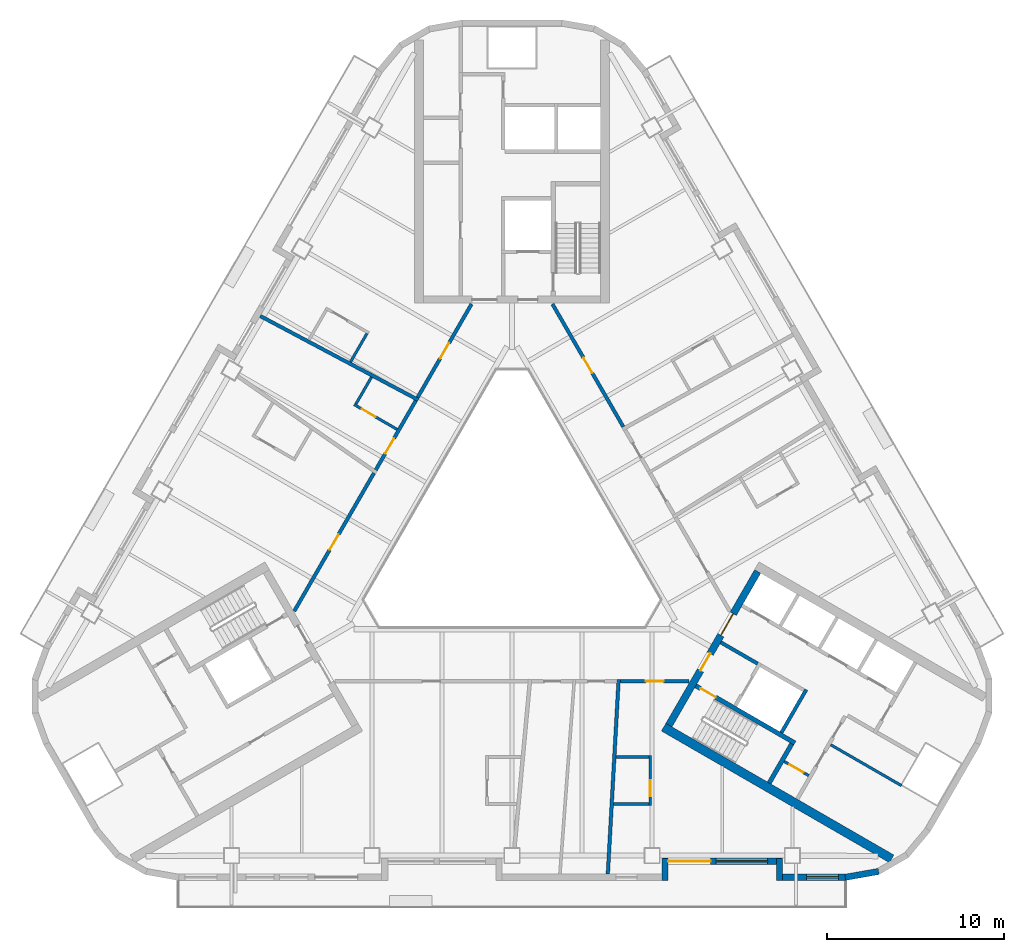
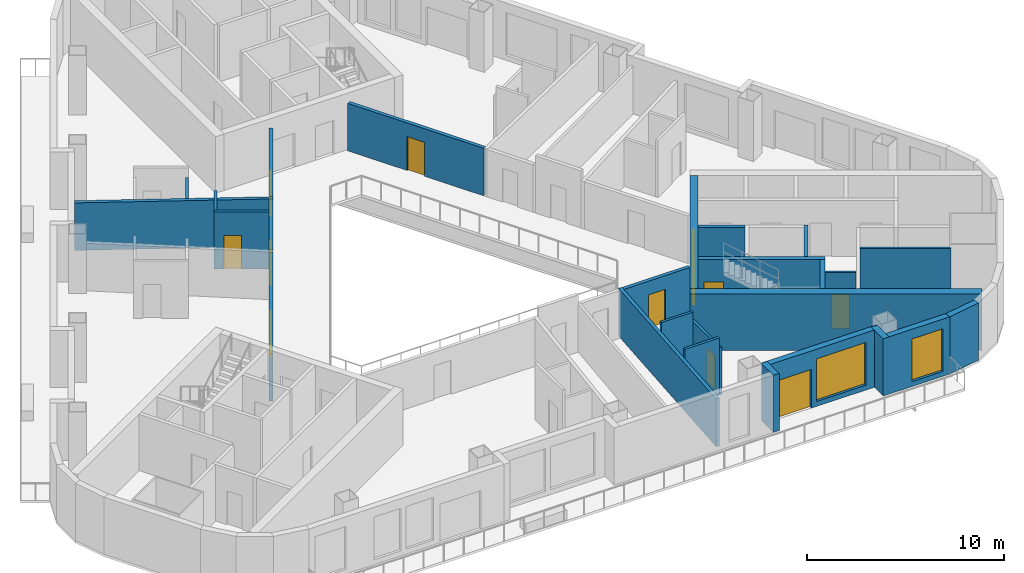
# One storey, part 4 of 13: 26 walls, 12 doors, 2 windows, 14 openings.
"""IFC4 building model written with IfcOpenShell, lengths in metres."""

from ifc_helpers import new_model, si_unit, direction, frame, frame_2d, origin, place, context, subcontext, project, spatial, rectangle, extrude, material, layer, layer_set, type_object, element, fill, save


model = new_model("IFC4")

# Units and contexts
model_context = context("Model", 3, precision=1e-05, world=origin(), true_north=direction((0.0, 1.0)))
body_context = subcontext(model_context, "Body", "Model", "MODEL_VIEW")
ifc_project = project(units=[si_unit("LENGTHUNIT", "METRE"), si_unit("AREAUNIT", "SQUARE_METRE"), si_unit("VOLUMEUNIT", "CUBIC_METRE"), si_unit("PLANEANGLEUNIT", "RADIAN"), si_unit("MASSUNIT", "GRAM", prefix="KILO")], contexts=[model_context])

# Site, building, storey
site_placement = place(None, origin())
site = spatial("IfcSite", under=ifc_project, at=site_placement, CompositionType="ELEMENT")
building_placement = place(site_placement, origin())
building = spatial("IfcBuilding", under=site, at=building_placement, Name="Apuvela Tower Hotel", CompositionType="ELEMENT")
storey_placement = place(building_placement, frame((0.0, 0.0, 124.199951171875)))
storey = spatial("IfcBuildingStorey", under=building, at=storey_placement, Name="L29", CompositionType="ELEMENT", Elevation=124.199951171875)

# Wall, openings, doors
ifc_material_1 = material(Name="Concrete C50/60", Category="concrete")
ifc_layer_1 = layer(ifc_material_1, 0.39990234375)
ifc_layer_set_1 = layer_set([ifc_layer_1], Name="COR-WALL-CORE-400")
wall_type_1 = type_object("IfcWallType", Name="COR-WALL-CORE-400", PredefinedType="SHEAR", material=ifc_layer_set_1)
wall_1_placement = place(storey_placement, frame((8.844970703125, -10.880126953125, 0.0), z_axis=(0.0, 0.0, 1.0), x_axis=(0.500004234368, 0.866022959057, 0.0)))
wall_1 = element("IfcWall", 1, at=wall_1_placement, inside=storey, type_object=wall_type_1, Name="Core wall SE", PredefinedType="SHEAR", context=body_context, shape_type="SweptSolid", body=[
    extrude(rectangle(XDim=10.0, YDim=0.39990234375, at=frame_2d((5.0, 0.0))), origin(), (0.0, 0.0, 1.0), 3.5),
])
opening_1_placement = place(wall_1_placement, frame((3.550048828125, 0.0, 0.0)))
opening_1 = element("IfcOpeningElement", 2, at=opening_1_placement, cuts=wall_1, Name="Opening E-FD", PredefinedType="OPENING", context=body_context, shape_type="SweptSolid", body=[
    extrude(rectangle(XDim=1.10009765625, YDim=2.10009765625, at=frame_2d((0.550048828125, 1.050048828125))), frame((0.0, 0.2099609375, 0.0), z_axis=(0.0, -1.0, 0.0), x_axis=(1.0, 0.0, 0.0)), (0.0, 0.0, 1.0), 0.419921875),
])
opening_2_placement = place(wall_1_placement, frame((5.85009765625, 0.0, 0.0)))
opening_2 = element("IfcOpeningElement", 3, at=opening_2_placement, cuts=wall_1, Name="Opening E-GD", PredefinedType="OPENING", context=body_context, shape_type="SweptSolid", body=[
    extrude(rectangle(XDim=1.39990234375, YDim=2.10009765625, at=frame_2d((0.699951171875, 1.050048828125))), frame((0.0, 0.2099609375, 0.0), z_axis=(0.0, -1.0, 0.0), x_axis=(1.0, 0.0, 0.0)), (0.0, 0.0, 1.0), 0.419921875),
])
ifc_material_2 = material(Name="Steel fire door, powder coated", Category="steel")
door_type_1 = type_object("IfcDoorType", Name="COR-FD-1100", OperationType="NOTDEFINED", PredefinedType="DOOR", material=ifc_material_2)
door_1_placement = place(opening_1_placement, frame((1.10009765625, 0.0, 0.0), z_axis=(0.0, 0.0, 1.0), x_axis=(-1.0, 0.0, 0.0)))
door_1 = element("IfcDoor", 4, at=door_1_placement, inside=storey, type_object=door_type_1, Name="Firefighting lobby door E-FD", OperationType="SINGLE_SWING_LEFT", OverallHeight=2.10009765625, OverallWidth=1.10009765625, PredefinedType="DOOR", context=body_context, shape_type="SweptSolid", body=[
    extrude(rectangle(XDim=1.10009765625, YDim=2.10009765625, at=frame_2d((0.550048828125, 1.050048828125))), frame((0.0, 0.02490234375, 0.0), z_axis=(0.0, -1.0, 0.0), x_axis=(1.0, 0.0, 0.0)), (0.0, 0.0, 1.0), 0.050048828125),
])
fill(opening_1, door_1)
ifc_material_3 = material(Name="Glazed steel fire door", Category="steel")
door_type_2 = type_object("IfcDoorType", Name="COR-GD-1400", OperationType="DOUBLE_DOOR_SINGLE_SWING", PredefinedType="DOOR", material=ifc_material_3)
door_2_placement = place(opening_2_placement, frame((1.39990234375, 0.0, 0.0), z_axis=(0.0, 0.0, 1.0), x_axis=(-1.0, 0.0, 0.0)))
door_2 = element("IfcDoor", 5, at=door_2_placement, inside=storey, type_object=door_type_2, Name="Lift lobby door E-GD", OperationType="DOUBLE_DOOR_SINGLE_SWING", OverallHeight=2.10009765625, OverallWidth=1.39990234375, PredefinedType="DOOR", context=body_context, shape_type="SweptSolid", body=[
    extrude(rectangle(XDim=1.39990234375, YDim=2.10009765625, at=frame_2d((0.699951171875, 1.050048828125))), frame((0.0, 0.02490234375, 0.0), z_axis=(0.0, -1.0, 0.0), x_axis=(1.0, 0.0, 0.0)), (0.0, 0.0, 1.0), 0.050048828125),
])
fill(opening_2, door_2)

# Wall
ifc_layer_2 = layer(ifc_material_1, 0.5)
ifc_layer_set_2 = layer_set([ifc_layer_2], Name="COR-WALL-CORE-500")
wall_type_2 = type_object("IfcWallType", Name="COR-WALL-CORE-500", PredefinedType="SHEAR", material=ifc_layer_set_2)
wall_2_placement = place(storey_placement, frame((8.546630859375, -10.99658203125, 0.0), z_axis=(0.0, 0.0, 1.0), x_axis=(0.866025009528, -0.500000682871, 0.0)))
element("IfcWall", 6, at=wall_2_placement, inside=storey, type_object=wall_type_2, Name="Core wall SE", PredefinedType="SHEAR", context=body_context, shape_type="SweptSolid", body=[
    extrude(rectangle(XDim=14.8369140625, YDim=0.5, at=frame_2d((7.41845703125, 0.0))), origin(), (0.0, 0.0, 1.0), 3.5),
])

# Wall, opening, door
ifc_material_4 = material(Name="Blockwork 150 mm plastered", Category="masonry")
ifc_layer_3 = layer(ifc_material_4, 0.14990234375)
ifc_layer_set_3 = layer_set([ifc_layer_3], Name="COR-WALL-PART-150")
wall_type_3 = type_object("IfcWallType", Name="COR-WALL-PART-150", PredefinedType="PARTITIONING", material=ifc_layer_set_3)
wall_3_placement = place(storey_placement, frame((15.341552734375, -12.927734375, 0.0), z_axis=(0.0, 0.0, 1.0), x_axis=(0.865989903783, -0.500061482766, 0.0)))
wall_3 = element("IfcWall", 7, at=wall_3_placement, inside=storey, type_object=wall_type_3, Name="Partition SE", PredefinedType="PARTITIONING", context=body_context, shape_type="SweptSolid", body=[
    extrude(rectangle(XDim=1.599853515625, YDim=0.14990234375, at=frame_2d((0.7998046875, 0.0))), origin(), (0.0, 0.0, 1.0), 3.5),
])
opening_3_placement = place(wall_3_placement, frame((0.35009765625, 0.0, 0.0)))
opening_3 = element("IfcOpeningElement", 8, at=opening_3_placement, cuts=wall_3, Name="Opening E-RD", PredefinedType="OPENING", context=body_context, shape_type="SweptSolid", body=[
    extrude(rectangle(XDim=0.89990234375, YDim=2.10009765625, at=frame_2d((0.449951171875, 1.050048828125))), frame((0.0, 0.0849609375, 0.0), z_axis=(0.0, -1.0, 0.0), x_axis=(1.0, 0.0, 0.0)), (0.0, 0.0, 1.0), 0.169921875),
])
ifc_material_5 = material(Name="Steel access door, powder coated", Category="steel")
door_type_3 = type_object("IfcDoorType", Name="COR-RD-900", OperationType="NOTDEFINED", PredefinedType="DOOR", material=ifc_material_5)
door_3_placement = place(opening_3_placement, frame((0.89990234375, 0.0, 0.0), z_axis=(0.0, 0.0, 1.0), x_axis=(-1.0, 0.0, 0.0)))
door_3 = element("IfcDoor", 9, at=door_3_placement, inside=storey, type_object=door_type_3, Name="Riser door E-RD", OperationType="SINGLE_SWING_LEFT", OverallHeight=2.10009765625, OverallWidth=0.89990234375, PredefinedType="DOOR", context=body_context, shape_type="SweptSolid", body=[
    extrude(rectangle(XDim=0.89990234375, YDim=2.10009765625, at=frame_2d((0.449951171875, 1.050048828125))), frame((0.0, 0.02490234375, 0.0), z_axis=(0.0, -1.0, 0.0), x_axis=(1.0, 0.0, 0.0)), (0.0, 0.0, 1.0), 0.050048828125),
])
fill(opening_3, door_3)

# Walls
wall_4_placement = place(storey_placement, frame((17.962890625, -11.9873046875, 0.0), z_axis=(0.0, 0.0, 1.0), x_axis=(0.865998608524, -0.500046407882, 0.0)))
element("IfcWall", 10, at=wall_4_placement, inside=storey, type_object=wall_type_3, Name="Partition SE", PredefinedType="PARTITIONING", context=body_context, shape_type="SweptSolid", body=[
    extrude(rectangle(XDim=4.60986328125, YDim=0.14990234375, at=frame_2d((2.304931640625, 0.0))), origin(), (0.0, 0.0, 1.0), 3.5),
])
ifc_layer_4 = layer(ifc_material_1, 0.199951171875)
ifc_layer_set_4 = layer_set([ifc_layer_4], Name="COR-WALL-SHAFT-200")
wall_type_4 = type_object("IfcWallType", Name="COR-WALL-SHAFT-200", PredefinedType="SHEAR", material=ifc_layer_set_4)
wall_5_placement = place(storey_placement, frame((15.181396484375, -11.305419921875, 0.0), z_axis=(0.0, 0.0, 1.0), x_axis=(0.49994636267, 0.866056369097, 0.0)))
element("IfcWall", 11, at=wall_5_placement, inside=storey, type_object=wall_type_4, Name="Shaft wall SE", PredefinedType="SHEAR", context=body_context, shape_type="SweptSolid", body=[
    extrude(rectangle(XDim=2.800048828125, YDim=0.199951171875, at=frame_2d((1.39990234375, 0.0))), origin(), (0.0, 0.0, 1.0), 3.5),
])
wall_6_placement = place(storey_placement, frame((11.76806640625, -6.217041015625, 0.0), z_axis=(0.0, 0.0, 1.0), x_axis=(0.866050077142, -0.499957262057, 0.0)))
element("IfcWall", 12, at=wall_6_placement, inside=storey, type_object=wall_type_4, Name="Shaft wall SE", PredefinedType="SHEAR", context=body_context, shape_type="SweptSolid", body=[
    extrude(rectangle(XDim=2.400146484375, YDim=0.199951171875, at=frame_2d((1.2001953125, 0.0))), origin(), (0.0, 0.0, 1.0), 3.5),
])

# Wall, opening, door
ifc_layer_5 = layer(ifc_material_1, 0.25)
ifc_layer_set_5 = layer_set([ifc_layer_5], Name="COR-WALL-STAIR-250")
wall_type_5 = type_object("IfcWallType", Name="COR-WALL-STAIR-250", PredefinedType="SHEAR", material=ifc_layer_set_5)
wall_7_placement = place(storey_placement, frame((10.355712890625, -8.66357421875, 0.0), z_axis=(0.0, 0.0, 1.0), x_axis=(0.866028629588, -0.499994412703, 0.0)))
wall_7 = element("IfcWall", 13, at=wall_7_placement, inside=storey, type_object=wall_type_5, Name="Stair wall SE", PredefinedType="SHEAR", context=body_context, shape_type="SweptSolid", body=[
    extrude(rectangle(XDim=6.44970703125, YDim=0.25, at=frame_2d((3.224853515625, 0.0))), origin(), (0.0, 0.0, 1.0), 3.5),
])
opening_4_placement = place(wall_7_placement, frame((0.300048828125, 0.0, 0.0)))
opening_4 = element("IfcOpeningElement", 14, at=opening_4_placement, cuts=wall_7, Name="Opening E-SD", PredefinedType="OPENING", context=body_context, shape_type="SweptSolid", body=[
    extrude(rectangle(XDim=1.0, YDim=2.10009765625, at=frame_2d((0.5, 1.050048828125))), frame((0.0, 0.135009765625, 0.0), z_axis=(0.0, -1.0, 0.0), x_axis=(1.0, 0.0, 0.0)), (0.0, 0.0, 1.0), 0.27001953125),
])
door_type_4 = type_object("IfcDoorType", Name="COR-SD-1000", OperationType="NOTDEFINED", PredefinedType="DOOR", material=ifc_material_2)
door_4_placement = place(opening_4_placement, frame((1.0, 0.0, 0.0), z_axis=(0.0, 0.0, 1.0), x_axis=(-1.0, 0.0, 0.0)))
door_4 = element("IfcDoor", 15, at=door_4_placement, inside=storey, type_object=door_type_4, Name="Stair door E-SD", OperationType="SINGLE_SWING_LEFT", OverallHeight=2.10009765625, OverallWidth=1.0, PredefinedType="DOOR", context=body_context, shape_type="SweptSolid", body=[
    extrude(rectangle(XDim=1.0, YDim=2.10009765625, at=frame_2d((0.5, 1.050048828125))), frame((0.0, 0.02490234375, 0.0), z_axis=(0.0, -1.0, 0.0), x_axis=(1.0, 0.0, 0.0)), (0.0, 0.0, 1.0), 0.050048828125),
])
fill(opening_4, door_4)

# Walls
wall_8_placement = place(storey_placement, frame((14.49560546875, -14.142578125, 0.0), z_axis=(0.0, 0.0, 1.0), x_axis=(0.500062241894, 0.865989465428, 0.0)))
element("IfcWall", 16, at=wall_8_placement, inside=storey, type_object=wall_type_5, Name="Stair wall SE", PredefinedType="SHEAR", context=body_context, shape_type="SweptSolid", body=[
    extrude(rectangle(XDim=2.550048828125, YDim=0.25, at=frame_2d((1.27490234375, 0.0))), origin(), (0.0, 0.0, 1.0), 3.5),
])
ifc_material_6 = material(Name="Concrete C40/50, dark pigmented precast panel", Category="concrete")
ifc_layer_6 = layer(ifc_material_6, 0.35009765625)
ifc_layer_set_6 = layer_set([ifc_layer_6], Name="ENV-WALL-350")
wall_type_6 = type_object("IfcWallType", Name="ENV-WALL-350", PredefinedType="SOLIDWALL", material=ifc_layer_set_6)
wall_9_placement = place(storey_placement, frame((8.625, -19.6298828125, 0.0), z_axis=(0.0, 0.0, 1.0), x_axis=(0.0, 1.0, 0.0)))
element("IfcWall", 17, at=wall_9_placement, inside=storey, type_object=wall_type_6, Name="External wall L29-22", PredefinedType="SOLIDWALL", context=body_context, shape_type="SweptSolid", body=[
    extrude(rectangle(XDim=1.219970703125, YDim=0.35009765625, at=frame_2d((0.60986328125, 0.0))), origin(), (0.0, 0.0, 1.0), 3.550048828125),
])

# Wall, openings, door, window
wall_10_placement = place(storey_placement, frame((8.47998046875, -18.554931640625, 0.0), z_axis=(0.0, 0.0, 1.0), x_axis=(1.0, 0.0, 0.0)))
wall_10 = element("IfcWall", 18, at=wall_10_placement, inside=storey, type_object=wall_type_6, Name="External wall L29-23", PredefinedType="SOLIDWALL", context=body_context, shape_type="SweptSolid", body=[
    extrude(rectangle(XDim=6.739990234375, YDim=0.35009765625, at=frame_2d((3.3701171875, 0.0))), origin(), (0.0, 0.0, 1.0), 3.550048828125),
])
opening_5_placement = place(wall_10_placement, frame((0.3203125, 0.0, 0.0)))
opening_5 = element("IfcOpeningElement", 19, at=opening_5_placement, cuts=wall_10, Name="Opening BD24", PredefinedType="OPENING", context=body_context, shape_type="SweptSolid", body=[
    extrude(rectangle(XDim=2.39990234375, YDim=2.39990234375, at=frame_2d((1.199951171875, 1.199951171875))), frame((0.0, 0.18505859375, 0.0), z_axis=(0.0, -1.0, 0.0), x_axis=(1.0, 0.0, 0.0)), (0.0, 0.0, 1.0), 0.3701171875),
])
opening_6_placement = place(wall_10_placement, frame((3.020263671875, 0.0, 0.300048828125)))
opening_6 = element("IfcOpeningElement", 20, at=opening_6_placement, cuts=wall_10, Name="Opening WN29", PredefinedType="OPENING", context=body_context, shape_type="SweptSolid", body=[
    extrude(rectangle(XDim=2.89990234375, YDim=2.64990234375, at=frame_2d((1.449951171875, 1.324951171875))), frame((0.0, 0.18505859375, 0.0), z_axis=(0.0, -1.0, 0.0), x_axis=(1.0, 0.0, 0.0)), (0.0, 0.0, 1.0), 0.3701171875),
])
ifc_material_7 = material(Name="Aluminium 6063-T6, dark bronze anodised frame with dark tinted laminated glass", Category="aluminium")
door_type_5 = type_object("IfcDoorType", Name="ENV-DOOR-BALCONY-2400x2400", OperationType="SLIDING_TO_LEFT", PredefinedType="DOOR", material=ifc_material_7)
door_5_placement = place(opening_5_placement, frame((2.39990234375, 0.0, 0.0), z_axis=(0.0, 0.0, 1.0), x_axis=(-1.0, 0.0, 0.0)))
door_5 = element("IfcDoor", 21, at=door_5_placement, inside=storey, type_object=door_type_5, Name="Balcony door BD24", OperationType="SLIDING_TO_LEFT", OverallHeight=2.39990234375, OverallWidth=2.39990234375, PredefinedType="DOOR", context=body_context, shape_type="SweptSolid", body=[
    extrude(rectangle(XDim=2.39990234375, YDim=2.39990234375, at=frame_2d((1.199951171875, 1.199951171875))), frame((0.0, 0.02490234375, 0.0), z_axis=(0.0, -1.0, 0.0), x_axis=(1.0, 0.0, 0.0)), (0.0, 0.0, 1.0), 0.050048828125),
])
fill(opening_5, door_5)
ifc_material_8 = material(Name="Glass, dark tinted laminated insulated glazing unit", Category="glass")
window_type_1 = type_object("IfcWindowType", Name="ENV-WIN-2900x2650", PartitioningType="SINGLE_PANEL", PredefinedType="WINDOW", material=ifc_material_8)
window_1_placement = place(opening_6_placement, origin())
window_1 = element("IfcWindow", 22, at=window_1_placement, inside=storey, type_object=window_type_1, Name="Window WN29", OverallHeight=2.64990234375, OverallWidth=2.89990234375, PartitioningType="SINGLE_PANEL", PredefinedType="WINDOW", context=body_context, shape_type="SweptSolid", body=[
    extrude(rectangle(XDim=2.89990234375, YDim=2.64990234375, at=frame_2d((1.449951171875, 1.324951171875))), frame((0.0, 0.030029296875, 0.0), z_axis=(0.0, -1.0, 0.0), x_axis=(1.0, 0.0, 0.0)), (0.0, 0.0, 1.0), 0.06005859375),
])
fill(opening_6, window_1)

# Wall
wall_11_placement = place(storey_placement, frame((15.074951171875, -18.409912109375, 0.0), z_axis=(0.0, 0.0, 1.0), x_axis=(0.0, -1.0, 0.0)))
element("IfcWall", 23, at=wall_11_placement, inside=storey, type_object=wall_type_6, Name="External wall L29-24", PredefinedType="SOLIDWALL", context=body_context, shape_type="SweptSolid", body=[
    extrude(rectangle(XDim=1.219970703125, YDim=0.35009765625, at=frame_2d((0.60986328125, 0.0))), origin(), (0.0, 0.0, 1.0), 3.550048828125),
])

# Wall, opening, window
wall_12_placement = place(storey_placement, frame((14.89990234375, -19.455078125, 0.0), z_axis=(0.0, 0.0, 1.0), x_axis=(1.0, 0.0, 0.0)))
wall_12 = element("IfcWall", 24, at=wall_12_placement, inside=storey, type_object=wall_type_6, Name="External wall L29-25", PredefinedType="SOLIDWALL", context=body_context, shape_type="SweptSolid", body=[
    extrude(rectangle(XDim=3.916015625, YDim=0.35009765625, at=frame_2d((1.9580078125, 0.0))), origin(), (0.0, 0.0, 1.0), 3.550048828125),
])
opening_7_placement = place(wall_12_placement, frame((1.699951171875, 0.0, 0.300048828125)))
opening_7 = element("IfcOpeningElement", 25, at=opening_7_placement, cuts=wall_12, Name="Opening WN18", PredefinedType="OPENING", context=body_context, shape_type="SweptSolid", body=[
    extrude(rectangle(XDim=1.800048828125, YDim=2.64990234375, at=frame_2d((0.89990234375, 1.324951171875))), frame((0.0, 0.18505859375, 0.0), z_axis=(0.0, -1.0, 0.0), x_axis=(1.0, 0.0, 0.0)), (0.0, 0.0, 1.0), 0.3701171875),
])
window_type_2 = type_object("IfcWindowType", Name="ENV-WIN-1800x2650", PartitioningType="SINGLE_PANEL", PredefinedType="WINDOW", material=ifc_material_8)
window_2_placement = place(opening_7_placement, origin())
window_2 = element("IfcWindow", 26, at=window_2_placement, inside=storey, type_object=window_type_2, Name="Window WN18", OverallHeight=2.64990234375, OverallWidth=1.800048828125, PartitioningType="SINGLE_PANEL", PredefinedType="WINDOW", context=body_context, shape_type="SweptSolid", body=[
    extrude(rectangle(XDim=1.800048828125, YDim=2.64990234375, at=frame_2d((0.89990234375, 1.324951171875))), frame((0.0, 0.030029296875, 0.0), z_axis=(0.0, -1.0, 0.0), x_axis=(1.0, 0.0, 0.0)), (0.0, 0.0, 1.0), 0.06005859375),
])
fill(opening_7, window_2)

# Walls
wall_13_placement = place(storey_placement, frame((18.785400390625, -19.457763671875, 0.0), z_axis=(0.0, 0.0, 1.0), x_axis=(0.984798995425, 0.173697837091, 0.0)))
element("IfcWall", 27, at=wall_13_placement, inside=storey, type_object=wall_type_6, Name="External wall L29-26", PredefinedType="SOLIDWALL", context=body_context, shape_type="SweptSolid", body=[
    extrude(rectangle(XDim=1.91015625, YDim=0.35009765625, at=frame_2d((0.955078125, 0.0))), origin(), (0.0, 0.0, 1.0), 3.550048828125),
])
ifc_material_9 = material(Name="Gypsum board partition on twin steel stud", Category="steel")
ifc_layer_7 = layer(ifc_material_9, 0.199951171875)
ifc_layer_set_7 = layer_set([ifc_layer_7], Name="GST-PW1")
wall_type_7 = type_object("IfcWallType", Name="GST-PW1", PredefinedType="PARTITIONING", material=ifc_layer_set_7)
wall_14_placement = place(storey_placement, frame((5.39990234375, -19.280029296875, 0.0), z_axis=(0.0, 0.0, 1.0), x_axis=(0.055568385591, 0.998454883569, 0.0)))
element("IfcWall", 28, at=wall_14_placement, inside=storey, type_object=wall_type_7, Name="L29 partition 02", PredefinedType="PARTITIONING", context=body_context, shape_type="SweptSolid", body=[
    extrude(rectangle(XDim=10.9970703125, YDim=0.199951171875, at=frame_2d((5.49853515625, 0.0))), origin(), (0.0, 0.0, 1.0), 2.9599609375),
])
wall_15_placement = place(storey_placement, frame((-14.191650390625, 12.17919921875, 0.0), z_axis=(0.0, 0.0, 1.0), x_axis=(0.883106944183, -0.469171743753, 0.0)))
element("IfcWall", 29, at=wall_15_placement, inside=storey, type_object=wall_type_7, Name="L29 partition 05", PredefinedType="PARTITIONING", context=body_context, shape_type="SweptSolid", body=[
    extrude(rectangle(XDim=10.086181640625, YDim=0.199951171875, at=frame_2d((5.04296875, 0.0))), origin(), (0.0, 0.0, 1.0), 2.949951171875),
])

# Wall, opening, door
ifc_material_10 = material(Name="Gypsum board corridor wall on twin steel stud, acoustic", Category="steel")
ifc_layer_8 = layer(ifc_material_10, 0.199951171875)
ifc_layer_set_8 = layer_set([ifc_layer_8], Name="GST-PW2")
wall_type_8 = type_object("IfcWallType", Name="GST-PW2", PredefinedType="PARTITIONING", material=ifc_layer_set_8)
wall_16_placement = place(storey_placement, frame((9.98828125, -8.39990234375, 0.0), z_axis=(0.0, 0.0, 1.0), x_axis=(-1.0, 0.0, 0.0)))
wall_16 = element("IfcWall", 30, at=wall_16_placement, inside=storey, type_object=wall_type_8, Name="L29 partition 14", PredefinedType="PARTITIONING", context=body_context, shape_type="SweptSolid", body=[
    extrude(rectangle(XDim=3.882568359375, YDim=0.199951171875, at=frame_2d((1.94140625, 0.0))), origin(), (0.0, 0.0, 1.0), 2.949951171875),
])
opening_8_placement = place(wall_16_placement, frame((1.44140625, 0.0, 0.0)))
opening_8 = element("IfcOpeningElement", 31, at=opening_8_placement, cuts=wall_16, Name="Opening GD11-06", PredefinedType="OPENING", context=body_context, shape_type="SweptSolid", body=[
    extrude(rectangle(XDim=1.0, YDim=2.10009765625, at=frame_2d((0.5, 1.050048828125))), frame((0.0, 0.10986328125, 0.0), z_axis=(0.0, -1.0, 0.0), x_axis=(1.0, 0.0, 0.0)), (0.0, 0.0, 1.0), 0.219970703125),
])
ifc_material_11 = material(Name="Timber door leaf in steel frame", Category="steel")
door_type_6 = type_object("IfcDoorType", Name="GST-D1", OperationType="NOTDEFINED", PredefinedType="DOOR", material=ifc_material_11)
door_6_placement = place(opening_8_placement, origin())
door_6 = element("IfcDoor", 32, at=door_6_placement, inside=storey, type_object=door_type_6, Name="Door L29-06", OperationType="SINGLE_SWING_RIGHT", OverallHeight=2.10009765625, OverallWidth=1.0, PredefinedType="DOOR", context=body_context, shape_type="SweptSolid", body=[
    extrude(rectangle(XDim=1.0, YDim=2.10009765625, at=frame_2d((0.5, 1.050048828125))), frame((0.0, 0.02490234375, 0.0), z_axis=(0.0, -1.0, 0.0), x_axis=(1.0, 0.0, 0.0)), (0.0, 0.0, 1.0), 0.050048828125),
])
fill(opening_8, door_6)

wall_17_placement = place(storey_placement, frame((2.280517578125, 12.85009765625, 0.0), z_axis=(0.0, 0.0, 1.0), x_axis=(0.499992362392, -0.866029813314, 0.0)))
wall_17 = element("IfcWall", 33, at=wall_17_placement, inside=storey, type_object=wall_type_8, Name="L29 partition 25", PredefinedType="PARTITIONING", context=body_context, shape_type="SweptSolid", body=[
    extrude(rectangle(XDim=7.986328125, YDim=0.199951171875, at=frame_2d((3.9931640625, 0.0))), origin(), (0.0, 0.0, 1.0), 2.949951171875),
])
opening_9_placement = place(wall_17_placement, frame((3.4931640625, 0.0, 0.0)))
opening_9 = element("IfcOpeningElement", 34, at=opening_9_placement, cuts=wall_17, Name="Opening GD11-12", PredefinedType="OPENING", context=body_context, shape_type="SweptSolid", body=[
    extrude(rectangle(XDim=1.0, YDim=2.10009765625, at=frame_2d((0.5, 1.050048828125))), frame((0.0, 0.10986328125, 0.0), z_axis=(0.0, -1.0, 0.0), x_axis=(1.0, 0.0, 0.0)), (0.0, 0.0, 1.0), 0.219970703125),
])
door_7_placement = place(opening_9_placement, origin())
door_7 = element("IfcDoor", 35, at=door_7_placement, inside=storey, type_object=door_type_6, Name="Door L29-12", OperationType="SINGLE_SWING_RIGHT", OverallHeight=2.10009765625, OverallWidth=1.0, PredefinedType="DOOR", context=body_context, shape_type="SweptSolid", body=[
    extrude(rectangle(XDim=1.0, YDim=2.10009765625, at=frame_2d((0.5, 1.050048828125))), frame((0.0, 0.02490234375, 0.0), z_axis=(0.0, -1.0, 0.0), x_axis=(1.0, 0.0, 0.0)), (0.0, 0.0, 1.0), 0.050048828125),
])
fill(opening_9, door_7)

wall_18_placement = place(storey_placement, frame((-5.32275390625, 7.58056640625, 0.0), z_axis=(0.0, 0.0, 1.0), x_axis=(0.49998410452, 0.866034580849, 0.0)))
wall_18 = element("IfcWall", 36, at=wall_18_placement, inside=storey, type_object=wall_type_8, Name="L29 partition 29", PredefinedType="PARTITIONING", context=body_context, shape_type="SweptSolid", body=[
    extrude(rectangle(XDim=6.084716796875, YDim=0.199951171875, at=frame_2d((3.04248046875, 0.0))), origin(), (0.0, 0.0, 1.0), 2.949951171875),
])
opening_10_placement = place(wall_18_placement, frame((2.542236328125, 0.0, 0.0)))
opening_10 = element("IfcOpeningElement", 37, at=opening_10_placement, cuts=wall_18, Name="Opening GD11-14", PredefinedType="OPENING", context=body_context, shape_type="SweptSolid", body=[
    extrude(rectangle(XDim=1.0, YDim=2.10009765625, at=frame_2d((0.5, 1.050048828125))), frame((0.0, 0.10986328125, 0.0), z_axis=(0.0, -1.0, 0.0), x_axis=(1.0, 0.0, 0.0)), (0.0, 0.0, 1.0), 0.219970703125),
])
door_8_placement = place(opening_10_placement, origin())
door_8 = element("IfcDoor", 38, at=door_8_placement, inside=storey, type_object=door_type_6, Name="Door L29-14", OperationType="SINGLE_SWING_LEFT", OverallHeight=2.10009765625, OverallWidth=1.0, PredefinedType="DOOR", context=body_context, shape_type="SweptSolid", body=[
    extrude(rectangle(XDim=1.0, YDim=2.10009765625, at=frame_2d((0.5, 1.050048828125))), frame((0.0, 0.02490234375, 0.0), z_axis=(0.0, -1.0, 0.0), x_axis=(1.0, 0.0, 0.0)), (0.0, 0.0, 1.0), 0.050048828125),
])
fill(opening_10, door_8)

wall_19_placement = place(storey_placement, frame((-7.6787109375, 3.500244140625, 0.0), z_axis=(0.0, 0.0, 1.0), x_axis=(0.500026934738, 0.866009852448, 0.0)))
wall_19 = element("IfcWall", 39, at=wall_19_placement, inside=storey, type_object=wall_type_8, Name="L29 partition 33", PredefinedType="PARTITIONING", context=body_context, shape_type="SweptSolid", body=[
    extrude(rectangle(XDim=4.511474609375, YDim=0.199951171875, at=frame_2d((2.255859375, 0.0))), origin(), (0.0, 0.0, 1.0), 2.949951171875),
])
opening_11_placement = place(wall_19_placement, frame((1.057861328125, 0.0, 0.0)))
opening_11 = element("IfcOpeningElement", 40, at=opening_11_placement, cuts=wall_19, Name="Opening GD11-16", PredefinedType="OPENING", context=body_context, shape_type="SweptSolid", body=[
    extrude(rectangle(XDim=1.0, YDim=2.10009765625, at=frame_2d((0.5, 1.050048828125))), frame((0.0, 0.10986328125, 0.0), z_axis=(0.0, -1.0, 0.0), x_axis=(1.0, 0.0, 0.0)), (0.0, 0.0, 1.0), 0.219970703125),
])
door_9_placement = place(opening_11_placement, origin())
door_9 = element("IfcDoor", 41, at=door_9_placement, inside=storey, type_object=door_type_6, Name="Door L29-16", OperationType="SINGLE_SWING_LEFT", OverallHeight=2.10009765625, OverallWidth=1.0, PredefinedType="DOOR", context=body_context, shape_type="SweptSolid", body=[
    extrude(rectangle(XDim=1.0, YDim=2.10009765625, at=frame_2d((0.5, 1.050048828125))), frame((0.0, 0.02490234375, 0.0), z_axis=(0.0, -1.0, 0.0), x_axis=(1.0, 0.0, 0.0)), (0.0, 0.0, 1.0), 0.050048828125),
])
fill(opening_11, door_9)

wall_20_placement = place(storey_placement, frame((-12.268798828125, -4.449951171875, 0.0), z_axis=(0.0, 0.0, 1.0), x_axis=(0.500004878216, 0.866022587327, 0.0)))
wall_20 = element("IfcWall", 42, at=wall_20_placement, inside=storey, type_object=wall_type_8, Name="L29 partition 36", PredefinedType="PARTITIONING", context=body_context, shape_type="SweptSolid", body=[
    extrude(rectangle(XDim=8.9794921875, YDim=0.199951171875, at=frame_2d((4.48974609375, 0.0))), origin(), (0.0, 0.0, 1.0), 2.949951171875),
])
opening_12_placement = place(wall_20_placement, frame((3.98974609375, 0.0, 0.0)))
opening_12 = element("IfcOpeningElement", 43, at=opening_12_placement, cuts=wall_20, Name="Opening GD11-18", PredefinedType="OPENING", context=body_context, shape_type="SweptSolid", body=[
    extrude(rectangle(XDim=1.0, YDim=2.10009765625, at=frame_2d((0.5, 1.050048828125))), frame((0.0, 0.10986328125, 0.0), z_axis=(0.0, -1.0, 0.0), x_axis=(1.0, 0.0, 0.0)), (0.0, 0.0, 1.0), 0.219970703125),
])
door_10_placement = place(opening_12_placement, origin())
door_10 = element("IfcDoor", 44, at=door_10_placement, inside=storey, type_object=door_type_6, Name="Door L29-18", OperationType="SINGLE_SWING_RIGHT", OverallHeight=2.10009765625, OverallWidth=1.0, PredefinedType="DOOR", context=body_context, shape_type="SweptSolid", body=[
    extrude(rectangle(XDim=1.0, YDim=2.10009765625, at=frame_2d((0.5, 1.050048828125))), frame((0.0, 0.02490234375, 0.0), z_axis=(0.0, -1.0, 0.0), x_axis=(1.0, 0.0, 0.0)), (0.0, 0.0, 1.0), 0.050048828125),
])
fill(opening_12, door_10)

ifc_material_12 = material(Name="Moisture-resistant gypsum board wet wall on steel stud", Category="steel")
ifc_layer_9 = layer(ifc_material_12, 0.14990234375)
ifc_layer_set_9 = layer_set([ifc_layer_9], Name="GST-PW3")
wall_type_9 = type_object("IfcWallType", Name="GST-PW3", PredefinedType="PARTITIONING", material=ifc_layer_set_9)
wall_21_placement = place(storey_placement, frame((7.797119140625, -15.39990234375, 0.0), z_axis=(0.0, 0.0, 1.0), x_axis=(0.0, 1.0, 0.0)))
wall_21 = element("IfcWall", 45, at=wall_21_placement, inside=storey, type_object=wall_type_9, Name="L29 partition 15", PredefinedType="PARTITIONING", context=body_context, shape_type="SweptSolid", body=[
    extrude(rectangle(XDim=2.7998046875, YDim=0.14990234375, at=frame_2d((1.39990234375, 0.0))), origin(), (0.0, 0.0, 1.0), 2.949951171875),
])
opening_13_placement = place(wall_21_placement, frame((0.5, 0.0, 0.0)))
opening_13 = element("IfcOpeningElement", 46, at=opening_13_placement, cuts=wall_21, Name="Opening GD11-05", PredefinedType="OPENING", context=body_context, shape_type="SweptSolid", body=[
    extrude(rectangle(XDim=0.89990234375, YDim=2.10009765625, at=frame_2d((0.449951171875, 1.050048828125))), frame((0.0, 0.0849609375, 0.0), z_axis=(0.0, -1.0, 0.0), x_axis=(1.0, 0.0, 0.0)), (0.0, 0.0, 1.0), 0.169921875),
])
door_type_7 = type_object("IfcDoorType", Name="GST-D2", OperationType="NOTDEFINED", PredefinedType="DOOR", material=ifc_material_11)
door_11_placement = place(opening_13_placement, origin())
door_11 = element("IfcDoor", 47, at=door_11_placement, inside=storey, type_object=door_type_7, Name="Door L29-05", OperationType="SINGLE_SWING_LEFT", OverallHeight=2.10009765625, OverallWidth=0.89990234375, PredefinedType="DOOR", context=body_context, shape_type="SweptSolid", body=[
    extrude(rectangle(XDim=0.89990234375, YDim=2.10009765625, at=frame_2d((0.449951171875, 1.050048828125))), frame((0.0, 0.02490234375, 0.0), z_axis=(0.0, -1.0, 0.0), x_axis=(1.0, 0.0, 0.0)), (0.0, 0.0, 1.0), 0.050048828125),
])
fill(opening_13, door_11)

# Walls
wall_22_placement = place(storey_placement, frame((5.72021484375, -15.324951171875, 0.0), z_axis=(0.0, 0.0, 1.0), x_axis=(1.0, 0.0, 0.0)))
element("IfcWall", 48, at=wall_22_placement, inside=storey, type_object=wall_type_9, Name="L29 partition 16", PredefinedType="PARTITIONING", context=body_context, shape_type="SweptSolid", body=[
    extrude(rectangle(XDim=2.001708984375, YDim=0.14990234375, at=frame_2d((1.0009765625, 0.0))), origin(), (0.0, 0.0, 1.0), 3.550048828125),
])
wall_23_placement = place(storey_placement, frame((5.867919921875, -12.675048828125, 0.0), z_axis=(0.0, 0.0, 1.0), x_axis=(1.0, 0.0, 0.0)))
element("IfcWall", 49, at=wall_23_placement, inside=storey, type_object=wall_type_9, Name="L29 partition 17", PredefinedType="PARTITIONING", context=body_context, shape_type="SweptSolid", body=[
    extrude(rectangle(XDim=1.85400390625, YDim=0.14990234375, at=frame_2d((0.927001953125, 0.0))), origin(), (0.0, 0.0, 1.0), 3.550048828125),
])
wall_24_placement = place(storey_placement, frame((-8.174072265625, 11.19189453125, 0.0), z_axis=(0.0, 0.0, 1.0), x_axis=(-0.500022870649, -0.866012199007, 0.0)))
element("IfcWall", 50, at=wall_24_placement, inside=storey, type_object=wall_type_9, Name="L29 partition 32", PredefinedType="PARTITIONING", context=body_context, shape_type="SweptSolid", body=[
    extrude(rectangle(XDim=1.8525390625, YDim=0.14990234375, at=frame_2d((0.92626953125, 0.0))), origin(), (0.0, 0.0, 1.0), 2.949951171875),
])

# Wall, opening, door
wall_25_placement = place(storey_placement, frame((-8.898681640625, 7.18701171875, 0.0), z_axis=(0.0, 0.0, 1.0), x_axis=(0.866056369097, -0.49994636267, 0.0)))
wall_25 = element("IfcWall", 51, at=wall_25_placement, inside=storey, type_object=wall_type_9, Name="L29 partition 34", PredefinedType="PARTITIONING", context=body_context, shape_type="SweptSolid", body=[
    extrude(rectangle(XDim=2.800048828125, YDim=0.14990234375, at=frame_2d((1.39990234375, 0.0))), origin(), (0.0, 0.0, 1.0), 3.550048828125),
])
opening_14_placement = place(wall_25_placement, frame((0.5, 0.0, 0.0)))
opening_14 = element("IfcOpeningElement", 52, at=opening_14_placement, cuts=wall_25, Name="Opening GD11-15", PredefinedType="OPENING", context=body_context, shape_type="SweptSolid", body=[
    extrude(rectangle(XDim=0.89990234375, YDim=2.10009765625, at=frame_2d((0.449951171875, 1.050048828125))), frame((0.0, 0.0849609375, 0.0), z_axis=(0.0, -1.0, 0.0), x_axis=(1.0, 0.0, 0.0)), (0.0, 0.0, 1.0), 0.169921875),
])
door_12_placement = place(opening_14_placement, origin())
door_12 = element("IfcDoor", 53, at=door_12_placement, inside=storey, type_object=door_type_7, Name="Door L29-15", OperationType="SINGLE_SWING_LEFT", OverallHeight=2.10009765625, OverallWidth=0.89990234375, PredefinedType="DOOR", context=body_context, shape_type="SweptSolid", body=[
    extrude(rectangle(XDim=0.89990234375, YDim=2.10009765625, at=frame_2d((0.449951171875, 1.050048828125))), frame((0.0, 0.02490234375, 0.0), z_axis=(0.0, -1.0, 0.0), x_axis=(1.0, 0.0, 0.0)), (0.0, 0.0, 1.0), 0.050048828125),
])
fill(opening_14, door_12)

# Wall
wall_26_placement = place(storey_placement, frame((-7.919189453125, 8.733642578125, 0.0), z_axis=(0.0, 0.0, 1.0), x_axis=(-0.499971461383, -0.866041879935, 0.0)))
element("IfcWall", 54, at=wall_26_placement, inside=storey, type_object=wall_type_9, Name="L29 partition 35", PredefinedType="PARTITIONING", context=body_context, shape_type="SweptSolid", body=[
    extrude(rectangle(XDim=1.75390625, YDim=0.14990234375, at=frame_2d((0.876953125, 0.0))), origin(), (0.0, 0.0, 1.0), 3.550048828125),
])

save(model, "model.ifc")
